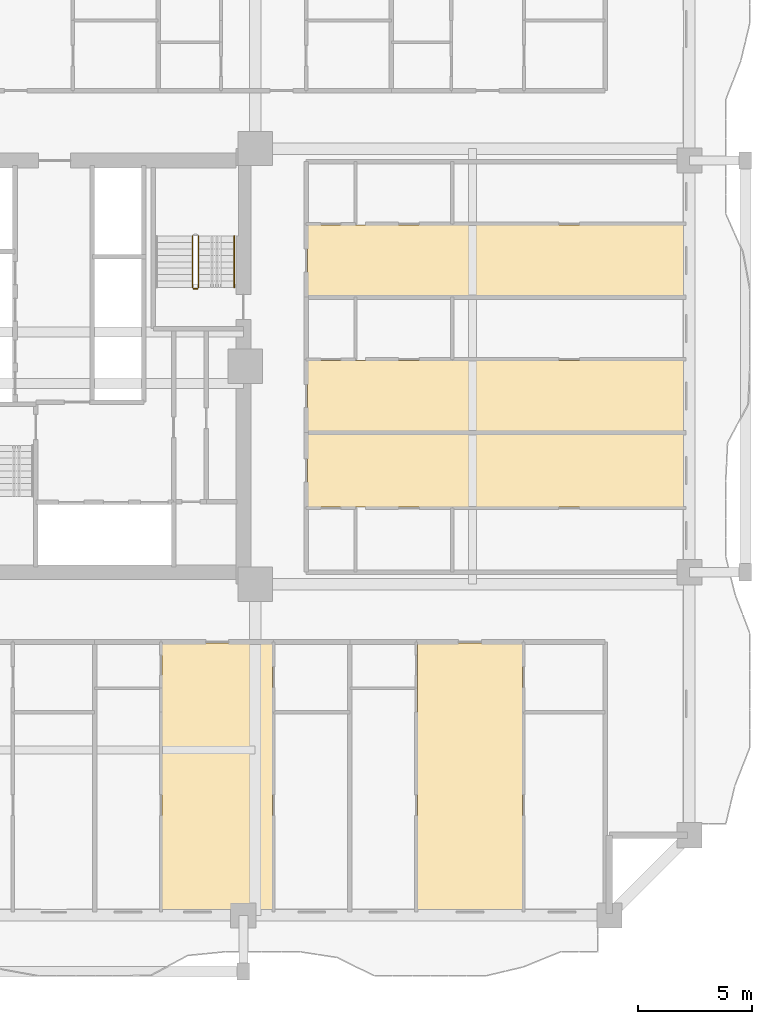
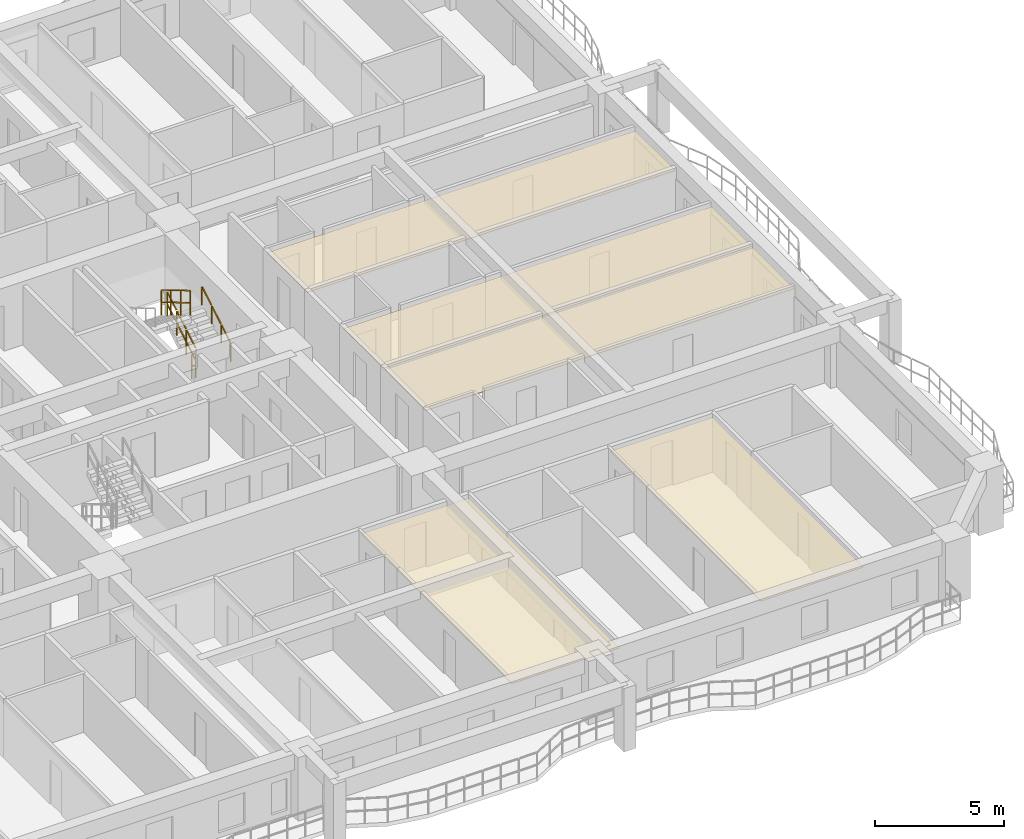
# One storey, part 14 of 16: 5 coverings, 4 railings.
"""IFC4 building model written with IfcOpenShell, lengths in metres."""

import ifcopenshell
import ifcopenshell.guid

model = None  # the IFC model being written
_history = None  # IfcOwnerHistory: only IFC2X3 demands one
_inside = {}  # id of a spatial element -> (the spatial element, [elements in it])
_under = {}  # id of a project, library or spatial element -> (it, [spatial elements below it])
_declared = {}  # id of a project -> (the project, [libraries it declares])
_typed = {}  # id of a type object -> (the type object, [elements of that type])
_made_of = {}  # id of a material, layer set ... -> (it, [elements and type objects made of it])


def new_model(schema):
    """Start an empty IFC model of exactly this schema.

    Asked for "IFC4X3", IfcOpenShell would pick the latest addendum, in which some entities
    have other attributes; the version numbers below select the first issue.
    IFC2X3 requires an IfcOwnerHistory on every rooted entity: one is made here for all.
    """
    global model, _history
    if schema == "IFC4X3":
        model = ifcopenshell.file(schema_version=(4, 3, 0, 0))
    else:
        model = ifcopenshell.file(schema=schema)
    _inside.clear()
    _under.clear()
    _declared.clear()
    _typed.clear()
    _made_of.clear()
    _history = None
    if model.schema == "IFC2X3":
        org = make("IfcOrganization", Name="unknown")
        user = make(
            "IfcPersonAndOrganization",
            ThePerson=make("IfcPerson", FamilyName="unknown"),
            TheOrganization=org,
        )
        app = make(
            "IfcApplication",
            ApplicationDeveloper=org,
            Version="unknown",
            ApplicationFullName="unknown",
            ApplicationIdentifier="unknown",
        )
        _history = make(
            "IfcOwnerHistory",
            OwningUser=user,
            OwningApplication=app,
            ChangeAction="ADDED",
            CreationDate=0,
        )
    return model


def make(cls, **values):
    """One entity of the class cls with the attributes given. An attribute that is None is left unset."""
    return model.create_entity(
        cls, **{name: value for name, value in values.items() if value is not None}
    )


def rooted(cls, **values):
    """An entity with a GlobalId (a new one), such as an element, a storey or a relation."""
    return make(cls, GlobalId=ifcopenshell.guid.new(), OwnerHistory=_history, **values)


def si_unit(unit_type, name, prefix=None):
    """IfcSIUnit, for example si_unit("LENGTHUNIT", "METRE", prefix="MILLI")."""
    return make("IfcSIUnit", UnitType=unit_type, Prefix=prefix, Name=name)


def assignment(units):
    """IfcUnitAssignment: the units of a project."""
    return None if units is None else make("IfcUnitAssignment", Units=units)


def point(xyz):
    """IfcCartesianPoint."""
    return None if xyz is None else make("IfcCartesianPoint", Coordinates=xyz)


def direction(xyz):
    """IfcDirection."""
    return None if xyz is None else make("IfcDirection", DirectionRatios=xyz)


def frame(location, z_axis=None, x_axis=None):
    """IfcAxis2Placement3D, a coordinate frame: its origin and axes. An axis left out is left unset."""
    return make(
        "IfcAxis2Placement3D",
        Location=point(location),
        Axis=direction(z_axis),
        RefDirection=direction(x_axis),
    )


def frame_2d(location, x_axis=None):
    """IfcAxis2Placement2D, a coordinate frame in the plane: its origin and x axis."""
    return make(
        "IfcAxis2Placement2D", Location=point(location), RefDirection=direction(x_axis)
    )


def origin():
    """The frame at (0, 0, 0) with its axes left unset."""
    return frame((0.0, 0.0, 0.0))


def origin_2d():
    """The frame at (0, 0) in the plane with its x axis left unset."""
    return frame_2d((0.0, 0.0))


def place(relative_to, where):
    """IfcLocalPlacement: puts the frame where relative to a parent placement (None: the world)."""
    return make(
        "IfcLocalPlacement", PlacementRelTo=relative_to, RelativePlacement=where
    )


def context(
    kind, dimensions, precision=None, world=None, true_north=None, identifier=None
):
    """IfcGeometricRepresentationContext, for example the 3D "Model" context."""
    return make(
        "IfcGeometricRepresentationContext",
        ContextIdentifier=identifier,
        ContextType=kind,
        CoordinateSpaceDimension=dimensions,
        Precision=precision,
        WorldCoordinateSystem=world,
        TrueNorth=true_north,
    )


def subcontext(parent, identifier, kind, view, scale=None):
    """IfcGeometricRepresentationSubContext, for example "Body" below "Model"."""
    return make(
        "IfcGeometricRepresentationSubContext",
        ContextIdentifier=identifier,
        ContextType=kind,
        ParentContext=parent,
        TargetScale=scale,
        TargetView=view,
    )


def project(units=None, contexts=None):
    """IfcProject with its units and contexts."""
    return rooted(
        "IfcProject",
        Name="project",
        RepresentationContexts=contexts,
        UnitsInContext=assignment(units),
    )


def spatial(cls, under=None, at=None, **own):
    """A site, building, storey or space (cls), placed at a placement, below another one or the project."""
    s = rooted(cls, ObjectPlacement=at, **own)
    if under is not None:
        _under.setdefault(under.id(), (under, []))[1].append(s)
    return s


def polyline(points):
    """IfcPolyline through the points."""
    return make("IfcPolyline", Points=[point(p) for p in points])


def profile(cls, at=None, kind="AREA", **sizes):
    """A parametric profile (cls). Its sizes go by their IFC names, for example OverallWidth=200.0."""
    return make(cls, ProfileType=kind, Position=at, **sizes)


def rectangle(**sizes):
    """IfcRectangleProfileDef."""
    return profile("IfcRectangleProfileDef", **sizes)


def outline(outer, holes=None, kind="AREA"):
    """IfcArbitraryClosedProfileDef: a profile drawn as a closed curve; with holes, ...WithVoids."""
    if holes is None:
        return make("IfcArbitraryClosedProfileDef", ProfileType=kind, OuterCurve=outer)
    return make(
        "IfcArbitraryProfileDefWithVoids",
        ProfileType=kind,
        OuterCurve=outer,
        InnerCurves=holes,
    )


def extrude(swept, where, along, depth):
    """IfcExtrudedAreaSolid: the profile swept, set in the frame where, extruded along a direction by depth."""
    return make(
        "IfcExtrudedAreaSolid",
        SweptArea=swept,
        Position=where,
        ExtrudedDirection=direction(along),
        Depth=depth,
    )


def shape(context_of_items, identifier, shape_type, items):
    """IfcShapeRepresentation: the items that make up one representation, for example the "Body"."""
    return make(
        "IfcShapeRepresentation",
        ContextOfItems=context_of_items,
        RepresentationIdentifier=identifier,
        RepresentationType=shape_type,
        Items=items,
    )


def material(Name=None, Category=None):
    """IfcMaterial."""
    return make("IfcMaterial", Name=Name, Category=Category)


def layer(
    of_material, thickness, ventilated=None, Name=None, Category=None, Priority=None
):
    """IfcMaterialLayer: one layer of a wall or slab, of a material (None: an air gap)."""
    return make(
        "IfcMaterialLayer",
        Material=of_material,
        LayerThickness=thickness,
        IsVentilated=ventilated,
        Name=Name,
        Category=Category,
        Priority=Priority,
    )


def layer_set(layers, Name=None):
    """IfcMaterialLayerSet."""
    return make("IfcMaterialLayerSet", MaterialLayers=layers, LayerSetName=Name)


def made_of(thing, what):
    """Note that an element or type object is made of a material, layer set ...; save() writes the relation."""
    if what is not None:
        _made_of.setdefault(what.id(), (what, []))[1].append(thing)
    return thing


def type_object(cls, material=None, **own):
    """A type object (cls), such as IfcWallType, which elements share."""
    return made_of(rooted(cls, **own), material)


def element(
    cls,
    number,
    at=None,
    inside=None,
    cuts=None,
    type_object=None,
    material=None,
    context=None,
    identifier="Body",
    shape_type=None,
    held_by="IfcProductDefinitionShape",
    body=None,
    shapes=None,
    **own,
):
    """One element of the class cls, such as IfcWall. Its Tag is "e" and its number.

    at: its placement. inside: the storey or other place that contains it. cuts: it is an
    opening in that element (IfcRelVoidsElement). A single representation is given by context,
    identifier, shape_type and body (its items); several are given by shapes. held_by: the class
    of the entity that holds the representations. save() writes the other relations.
    """
    e = rooted(cls, Tag="e%d" % number, ObjectPlacement=at, **own)
    if body is not None:
        shapes = [shape(context, identifier, shape_type, body)]
    if shapes is not None:
        e.Representation = make(held_by, Representations=shapes)
    if inside is not None:
        _inside.setdefault(inside.id(), (inside, []))[1].append(e)
    if cuts is not None:
        rooted(
            "IfcRelVoidsElement", RelatingBuildingElement=cuts, RelatedOpeningElement=e
        )
    if type_object is not None:
        _typed.setdefault(type_object.id(), (type_object, []))[1].append(e)
    return made_of(e, material)


def aggregate(whole, parts):
    """IfcRelAggregates: a whole, such as a stair, and the parts it consists of."""
    return rooted("IfcRelAggregates", RelatingObject=whole, RelatedObjects=parts)


def save(model, path):
    """Write the relations noted so far, then the file.

    IfcRelAggregates (storeys below a building ...), IfcRelContainedInSpatialStructure (elements
    in a storey), IfcRelDefinesByType, IfcRelAssociatesMaterial and IfcRelDeclares: one each for
    every whole, place, type object, material and project.
    """
    for whole, parts in _under.values():
        aggregate(whole, parts)
    for where, things in _inside.values():
        rooted(
            "IfcRelContainedInSpatialStructure",
            RelatedElements=things,
            RelatingStructure=where,
        )
    for kind, things in _typed.values():
        rooted("IfcRelDefinesByType", RelatedObjects=things, RelatingType=kind)
    for what, things in _made_of.values():
        rooted("IfcRelAssociatesMaterial", RelatedObjects=things, RelatingMaterial=what)
    for by, libraries in _declared.values():
        rooted("IfcRelDeclares", RelatingContext=by, RelatedDefinitions=libraries)
    model.write(path)


model = new_model("IFC4")

# Units and contexts
model_context = context("Model", 3, precision=1e-05, world=origin(), true_north=direction((0.0, 1.0)))
body_context = subcontext(model_context, "Body", "Model", "MODEL_VIEW")
ifc_project = project(units=[si_unit("LENGTHUNIT", "METRE"), si_unit("AREAUNIT", "SQUARE_METRE"), si_unit("VOLUMEUNIT", "CUBIC_METRE"), si_unit("PLANEANGLEUNIT", "RADIAN"), si_unit("MASSUNIT", "GRAM", prefix="KILO")], contexts=[model_context])

# Site, building, storey
site_placement = place(None, origin())
site = spatial("IfcSite", under=ifc_project, at=site_placement, CompositionType="ELEMENT")
building_placement = place(site_placement, origin())
building = spatial("IfcBuilding", under=site, at=building_placement, Name="Saelheon Loggia Tower", CompositionType="ELEMENT")
storey_placement = place(building_placement, frame((0.0, 0.0, 37.39990234375)))
storey = spatial("IfcBuildingStorey", under=building, at=storey_placement, Name="L11", CompositionType="ELEMENT", Elevation=37.39990234375)

# Coverings
ifc_material_1 = material(Name="Mineral-Fibre Acoustic Ceiling Board", Category="gypsum")
ifc_layer = layer(ifc_material_1, 0.02490234375)
ifc_layer_set = layer_set([ifc_layer], Name="Mineral-Fibre Acoustic Ceiling Board")
covering_type = type_object("IfcCoveringType", Name="Cov_Ceiling_Acoustic", PredefinedType="CEILING", material=ifc_layer_set)
covering_1_placement = place(storey_placement, frame((0.0, 0.0, 2.53515625)))
element("IfcCovering", 1, at=covering_1_placement, inside=storey, type_object=covering_type, Name="L11 Acoustic Suspended Ceiling", PredefinedType="CEILING", context=body_context, shape_type="SweptSolid", body=[
    extrude(outline(polyline([(40.95166015625, 3.199951171875), (45.77001953125, 3.199951171875), (45.77001953125, 14.89990234375), (40.95166015625, 14.89990234375), (40.95166015625, 3.199951171875)])), origin(), (0.0, 0.0, 1.0), 0.02490234375),
])
covering_2_placement = place(storey_placement, frame((0.0, 0.0, 2.53515625)))
element("IfcCovering", 2, at=covering_2_placement, inside=storey, type_object=covering_type, Name="L11 Acoustic Suspended Ceiling", PredefinedType="CEILING", context=body_context, shape_type="SweptSolid", body=[
    extrude(outline(polyline([(52.111572265625, 3.199951171875), (56.69873046875, 3.199951171875), (56.69873046875, 14.89990234375), (52.111572265625, 14.89990234375), (52.111572265625, 3.199951171875)])), origin(), (0.0, 0.0, 1.0), 0.02490234375),
])
covering_3_placement = place(storey_placement, frame((0.0, 0.0, 2.53515625)))
element("IfcCovering", 3, at=covering_3_placement, inside=storey, type_object=covering_type, Name="L11 Acoustic Suspended Ceiling", PredefinedType="CEILING", context=body_context, shape_type="SweptSolid", body=[
    extrude(outline(polyline([(47.300048828125, 20.857421875), (63.800048828125, 20.857421875), (63.800048828125, 24.052978515625), (47.300048828125, 24.052978515625), (47.300048828125, 20.857421875)])), origin(), (0.0, 0.0, 1.0), 0.02490234375),
])
covering_4_placement = place(storey_placement, frame((0.0, 0.0, 2.53515625)))
element("IfcCovering", 4, at=covering_4_placement, inside=storey, type_object=covering_type, Name="L11 Acoustic Suspended Ceiling", PredefinedType="CEILING", context=body_context, shape_type="SweptSolid", body=[
    extrude(outline(polyline([(47.300048828125, 24.153076171875), (63.800048828125, 24.153076171875), (63.800048828125, 27.251708984375), (47.300048828125, 27.251708984375), (47.300048828125, 24.153076171875)])), origin(), (0.0, 0.0, 1.0), 0.02490234375),
])
covering_5_placement = place(storey_placement, frame((0.0, 0.0, 2.53515625)))
element("IfcCovering", 5, at=covering_5_placement, inside=storey, type_object=covering_type, Name="L11 Acoustic Suspended Ceiling", PredefinedType="CEILING", context=body_context, shape_type="SweptSolid", body=[
    extrude(outline(polyline([(47.300048828125, 30.076416015625), (63.800048828125, 30.076416015625), (63.800048828125, 33.17529296875), (47.300048828125, 33.17529296875), (47.300048828125, 30.076416015625)])), origin(), (0.0, 0.0, 1.0), 0.02490234375),
])

# Railings
ifc_material_2 = material(Name="Galvanised Steel S275 Stairwell Guardrail", Category="steel")
railing_type_1 = type_object("IfcRailingType", Name="Guard_StairWell_RL_STG", PredefinedType="GUARDRAIL", material=ifc_material_2)
railing_1_placement = place(storey_placement, frame((42.5400390625, 30.449951171875, 0.166748046875)))
element("IfcRailing", 6, at=railing_1_placement, inside=storey, type_object=railing_type_1, Name="L11 ST2 stair guard 1", PredefinedType="GUARDRAIL", context=body_context, shape_type="SweptSolid", body=[
    extrude(rectangle(XDim=0.048095703125, YDim=0.048095703125, at=origin_2d()), frame((0.0, 0.028564453125, 1.19287109375), z_axis=(0.0, 0.859305625298, 0.511462454469), x_axis=(-1.0, 0.0, 0.0)), (0.0, 0.0, 1.0), 0.802490234375),
    extrude(rectangle(XDim=0.048095703125, YDim=0.048095703125, at=origin_2d()), frame((0.0, 0.028564453125, 0.616943359375), z_axis=(0.0, 0.859305625298, 0.511462454469), x_axis=(-1.0, 0.0, 0.0)), (0.0, 0.0, 1.0), 0.802490234375),
    extrude(rectangle(XDim=0.048095703125, YDim=0.048095703125, at=origin_2d()), frame((0.0, 0.775146484375, 1.63720703125), z_axis=(0.0, 0.859305625298, 0.511462454469), x_axis=(-1.0, 0.0, 0.0)), (0.0, 0.0, 1.0), 0.802490234375),
    extrude(rectangle(XDim=0.048095703125, YDim=0.048095703125, at=origin_2d()), frame((0.0, 0.775146484375, 1.061279296875), z_axis=(0.0, 0.859305625298, 0.511462454469), x_axis=(-1.0, 0.0, 0.0)), (0.0, 0.0, 1.0), 0.802490234375),
    extrude(rectangle(XDim=0.048095703125, YDim=0.048095703125, at=origin_2d()), frame((0.0, 1.52197265625, 2.081787109375), z_axis=(0.0, 0.859305625298, 0.511462454469), x_axis=(-1.0, 0.0, 0.0)), (0.0, 0.0, 1.0), 0.802490234375),
    extrude(rectangle(XDim=0.048095703125, YDim=0.048095703125, at=origin_2d()), frame((0.0, 1.52197265625, 1.505859375), z_axis=(0.0, 0.859305625298, 0.511462454469), x_axis=(-1.0, 0.0, 0.0)), (0.0, 0.0, 1.0), 0.802490234375),
    extrude(rectangle(XDim=0.0419921875, YDim=0.0419921875, at=origin_2d()), origin(), (0.0, 0.0, 1.0), 1.14794921875),
    extrude(rectangle(XDim=0.0419921875, YDim=0.0419921875, at=origin_2d()), frame((0.0, 0.74658203125, 0.4443359375)), (0.0, 0.0, 1.0), 1.14794921875),
    extrude(rectangle(XDim=0.0419921875, YDim=0.0419921875, at=origin_2d()), frame((0.0, 1.493408203125, 0.888916015625)), (0.0, 0.0, 1.0), 1.14794921875),
    extrude(rectangle(XDim=0.0419921875, YDim=0.0419921875, at=origin_2d()), frame((0.0, 2.239990234375, 1.333251953125)), (0.0, 0.0, 1.0), 1.14794921875),
])
railing_2_placement = place(storey_placement, frame((42.280029296875, 32.68994140625, 1.666748046875)))
element("IfcRailing", 7, at=railing_2_placement, inside=storey, type_object=railing_type_1, Name="L11 ST2 stair guard 3", PredefinedType="GUARDRAIL", context=body_context, shape_type="SweptSolid", body=[
    extrude(rectangle(XDim=0.048095703125, YDim=0.048095703125, at=origin_2d()), frame((0.0, -0.028564453125, 1.19287109375), z_axis=(0.0, -0.859305625298, 0.511462454469), x_axis=(1.0, 0.0, 0.0)), (0.0, 0.0, 1.0), 0.802490234375),
    extrude(rectangle(XDim=0.048095703125, YDim=0.048095703125, at=origin_2d()), frame((0.0, -0.028564453125, 0.616943359375), z_axis=(0.0, -0.859305625298, 0.511462454469), x_axis=(1.0, 0.0, 0.0)), (0.0, 0.0, 1.0), 0.802490234375),
    extrude(rectangle(XDim=0.048095703125, YDim=0.048095703125, at=origin_2d()), frame((0.0, -0.775146484375, 1.63720703125), z_axis=(0.0, -0.859305625298, 0.511462454469), x_axis=(1.0, 0.0, 0.0)), (0.0, 0.0, 1.0), 0.802490234375),
    extrude(rectangle(XDim=0.048095703125, YDim=0.048095703125, at=origin_2d()), frame((0.0, -0.775146484375, 1.061279296875), z_axis=(0.0, -0.859305625298, 0.511462454469), x_axis=(1.0, 0.0, 0.0)), (0.0, 0.0, 1.0), 0.802490234375),
    extrude(rectangle(XDim=0.048095703125, YDim=0.048095703125, at=origin_2d()), frame((0.0, -1.52197265625, 2.081787109375), z_axis=(0.0, -0.859305625298, 0.511462454469), x_axis=(1.0, 0.0, 0.0)), (0.0, 0.0, 1.0), 0.802490234375),
    extrude(rectangle(XDim=0.048095703125, YDim=0.048095703125, at=origin_2d()), frame((0.0, -1.52197265625, 1.505859375), z_axis=(0.0, -0.859305625298, 0.511462454469), x_axis=(1.0, 0.0, 0.0)), (0.0, 0.0, 1.0), 0.802490234375),
    extrude(rectangle(XDim=0.0419921875, YDim=0.0419921875, at=origin_2d()), origin(), (0.0, 0.0, 1.0), 1.14794921875),
    extrude(rectangle(XDim=0.0419921875, YDim=0.0419921875, at=origin_2d()), frame((0.0, -0.74658203125, 0.4443359375)), (0.0, 0.0, 1.0), 1.14794921875),
    extrude(rectangle(XDim=0.0419921875, YDim=0.0419921875, at=origin_2d()), frame((0.0, -1.493408203125, 0.888916015625)), (0.0, 0.0, 1.0), 1.14794921875),
    extrude(rectangle(XDim=0.0419921875, YDim=0.0419921875, at=origin_2d()), frame((0.0, -2.239990234375, 1.333251953125)), (0.0, 0.0, 1.0), 1.14794921875),
])
railing_3_placement = place(storey_placement, frame((42.489990234375, 30.39990234375, 0.0)))
element("IfcRailing", 8, at=railing_3_placement, inside=storey, type_object=railing_type_1, Name="L11 ST2 stair guard 4", PredefinedType="GUARDRAIL", context=body_context, shape_type="SweptSolid", body=[
    extrude(rectangle(XDim=0.048095703125, YDim=0.048095703125, at=origin_2d()), frame((-0.033203125, 0.0, 1.17578125), z_axis=(-1.0, 0.0, 0.0), x_axis=(0.0, -1.0, 0.0)), (0.0, 0.0, 1.0), 0.093505859375),
    extrude(rectangle(XDim=0.048095703125, YDim=0.048095703125, at=origin_2d()), frame((-0.033203125, 0.0, 0.60009765625), z_axis=(-1.0, 0.0, 0.0), x_axis=(0.0, -1.0, 0.0)), (0.0, 0.0, 1.0), 0.093505859375),
    extrude(rectangle(XDim=0.0419921875, YDim=0.0419921875, at=origin_2d()), origin(), (0.0, 0.0, 1.0), 1.14794921875),
    extrude(rectangle(XDim=0.0419921875, YDim=0.0419921875, at=origin_2d()), frame((-0.159912109375, 0.0, 0.0)), (0.0, 0.0, 1.0), 1.14794921875),
])
ifc_material_3 = material(Name="Stainless Steel 304 Tubular Handrail", Category="steel")
railing_type_2 = type_object("IfcRailingType", Name="Handrail_Stair_RL_HR1", PredefinedType="HANDRAIL", material=ifc_material_3)
railing_4_placement = place(storey_placement, frame((44.10009765625, 30.449951171875, 0.166748046875)))
element("IfcRailing", 9, at=railing_4_placement, inside=storey, type_object=railing_type_2, Name="L11 ST2 stair handrail 1", PredefinedType="HANDRAIL", context=body_context, shape_type="SweptSolid", body=[
    extrude(rectangle(XDim=0.048095703125, YDim=0.048095703125, at=origin_2d()), frame((0.0, 0.028564453125, 0.892822265625), z_axis=(0.0, 0.859305625298, 0.511462454469), x_axis=(-1.0, 0.0, 0.0)), (0.0, 0.0, 1.0), 0.802490234375),
    extrude(rectangle(XDim=0.048095703125, YDim=0.048095703125, at=origin_2d()), frame((0.0, 0.775146484375, 1.337158203125), z_axis=(0.0, 0.859305625298, 0.511462454469), x_axis=(-1.0, 0.0, 0.0)), (0.0, 0.0, 1.0), 0.802490234375),
    extrude(rectangle(XDim=0.048095703125, YDim=0.048095703125, at=origin_2d()), frame((0.0, 1.52197265625, 1.78173828125), z_axis=(0.0, 0.859305625298, 0.511462454469), x_axis=(-1.0, 0.0, 0.0)), (0.0, 0.0, 1.0), 0.802490234375),
    extrude(rectangle(XDim=0.0419921875, YDim=0.0419921875, at=origin_2d()), origin(), (0.0, 0.0, 1.0), 0.847900390625),
    extrude(rectangle(XDim=0.0419921875, YDim=0.0419921875, at=origin_2d()), frame((0.0, 0.74658203125, 0.4443359375)), (0.0, 0.0, 1.0), 0.847900390625),
    extrude(rectangle(XDim=0.0419921875, YDim=0.0419921875, at=origin_2d()), frame((0.0, 1.493408203125, 0.888916015625)), (0.0, 0.0, 1.0), 0.847900390625),
    extrude(rectangle(XDim=0.0419921875, YDim=0.0419921875, at=origin_2d()), frame((0.0, 2.239990234375, 1.333251953125)), (0.0, 0.0, 1.0), 0.847900390625),
])

save(model, "model.ifc")
